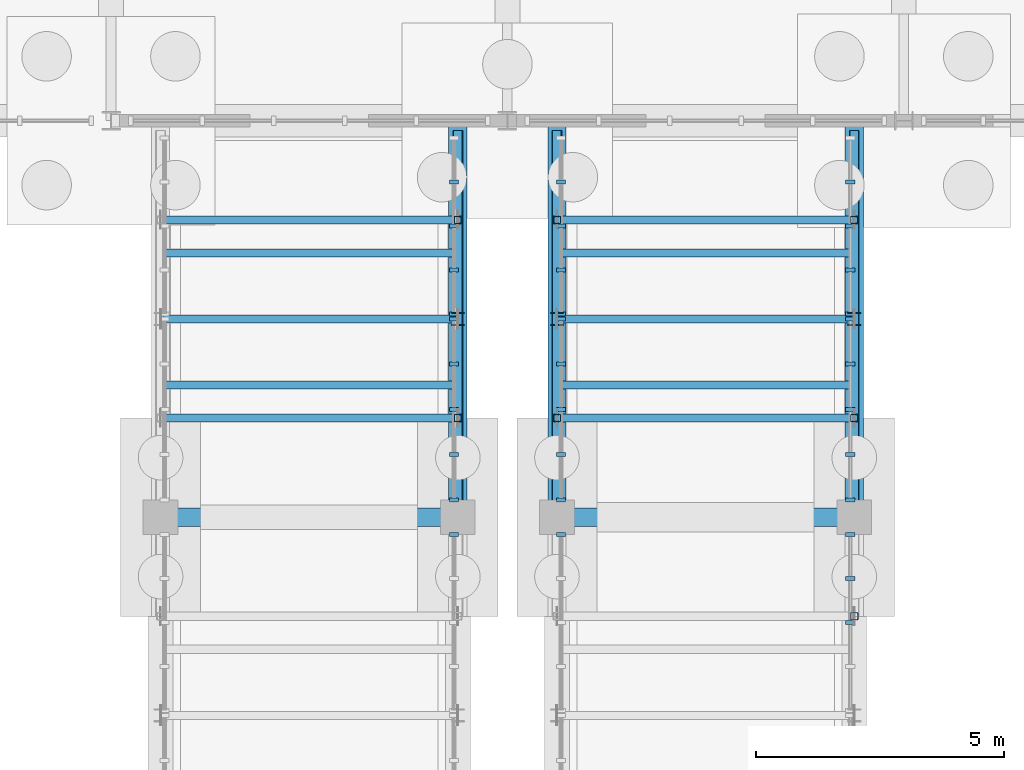
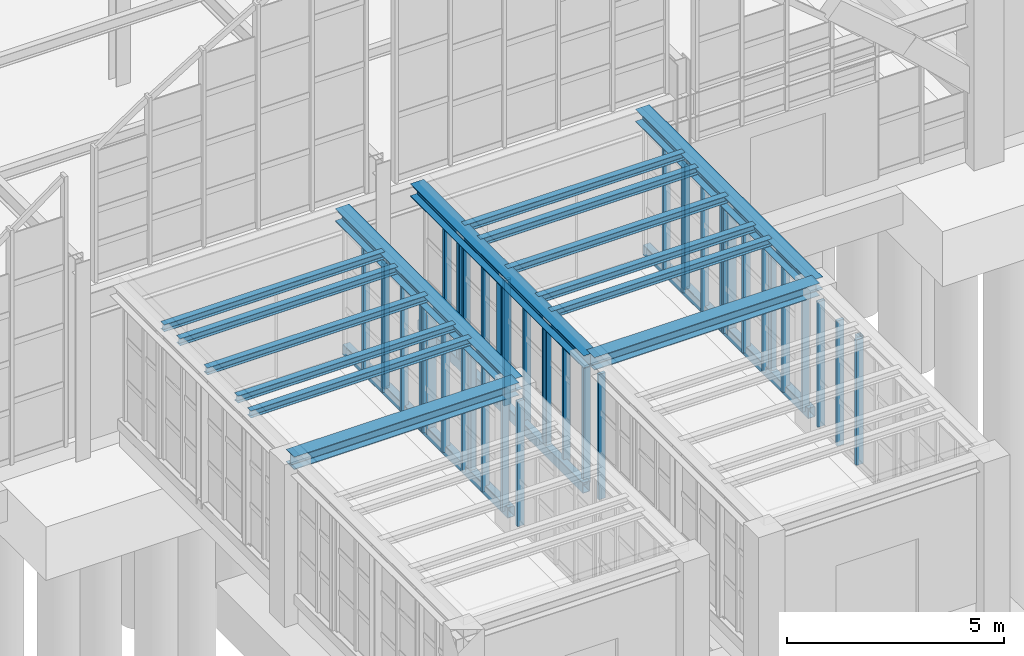
# One storey, part 38 of 129: 51 members, 9 beams, 9 elements without a shape of their own.
"""IFC4 building model written with IfcOpenShell, lengths in metres."""

from ifc_helpers import new_model, si_unit, direction, frame, origin, origin_2d, place, context, subcontext, project, spatial, rectangle, hollow_rectangle, i_section, extrude, material, layer, layer_set, material_profile, profile_set, type_object, element, aggregate, save


model = new_model("IFC4")

# Units and contexts
model_context = context("Model", 3, precision=1e-05, world=origin(), true_north=direction((0.0, 1.0)))
body_context = subcontext(model_context, "Body", "Model", "MODEL_VIEW")
ifc_project = project(units=[si_unit("LENGTHUNIT", "METRE"), si_unit("AREAUNIT", "SQUARE_METRE"), si_unit("VOLUMEUNIT", "CUBIC_METRE"), si_unit("PLANEANGLEUNIT", "RADIAN"), si_unit("MASSUNIT", "GRAM", prefix="KILO")], contexts=[model_context])

# Site, building, storey
site_placement = place(None, origin())
site = spatial("IfcSite", under=ifc_project, at=site_placement, CompositionType="ELEMENT")
building_placement = place(site_placement, origin())
building = spatial("IfcBuilding", under=site, at=building_placement, Name="Sitalva Quay Ferry Terminal", CompositionType="ELEMENT")
storey_placement = place(building_placement, origin())
storey = spatial("IfcBuildingStorey", under=building, at=storey_placement, Name="L01", CompositionType="ELEMENT", Elevation=0.0)

# Beams
ifc_material_1 = material(Name="Structural Steel S355JR", Category="steel")
ifc_material_profile_1 = material_profile(ifc_material_1, i_section(OverallWidth=0.368896484375, OverallDepth=0.35595703125, WebThickness=0.01123046875, FlangeThickness=0.01806640625, FilletRadius=0.014892578125, at=origin_2d()), Name="W360x134")
ifc_profile_set_1 = profile_set([ifc_material_profile_1], Name="Structural Steel S355JR")
beam_type_1 = type_object("IfcBeamType", Name="Beam_W360x134", PredefinedType="BEAM", material=ifc_profile_set_1)
beam_1_placement = place(storey_placement, frame((51.0, -2.0, 3.951904296875), z_axis=(1.0, 0.0, 0.0), x_axis=(0.0, 1.0, 0.0)))
element("IfcBeam", 1, at=beam_1_placement, inside=storey, type_object=beam_type_1, Name="L01 Primary X girder 0016", PredefinedType="BEAM", context=body_context, shape_type="SweptSolid", body=[
    extrude(i_section(OverallWidth=0.368896484375, OverallDepth=0.35595703125, WebThickness=0.01123046875, FlangeThickness=0.01806640625, FilletRadius=0.014892578125, at=origin_2d()), origin(), (0.0, 0.0, 1.0), 6.0),
])
beam_2_placement = place(storey_placement, frame((57.0, -2.0, 3.951904296875), z_axis=(0.0, 1.0, 0.0), x_axis=(-1.0, 0.0, 0.0)))
element("IfcBeam", 2, at=beam_2_placement, inside=storey, type_object=beam_type_1, Name="L01 Primary Y girder 0020", PredefinedType="BEAM", context=body_context, shape_type="SweptSolid", body=[
    extrude(i_section(OverallWidth=0.368896484375, OverallDepth=0.35595703125, WebThickness=0.01123046875, FlangeThickness=0.01806640625, FilletRadius=0.014892578125, at=origin_2d()), origin(), (0.0, 0.0, 1.0), 8.0),
])
beam_3_placement = place(storey_placement, frame((59.0, -2.0, 3.951904296875), z_axis=(1.0, 0.0, 0.0), x_axis=(0.0, 1.0, 0.0)))
element("IfcBeam", 3, at=beam_3_placement, inside=storey, type_object=beam_type_1, Name="L01 Primary X girder 0026", PredefinedType="BEAM", context=body_context, shape_type="SweptSolid", body=[
    extrude(i_section(OverallWidth=0.368896484375, OverallDepth=0.35595703125, WebThickness=0.01123046875, FlangeThickness=0.01806640625, FilletRadius=0.014892578125, at=origin_2d()), origin(), (0.0, 0.0, 1.0), 6.0),
])
for number, where, z_axis, x_axis, name in (
    (4, (59.0, -2.0, 3.951904296875), (0.0, 1.0, 0.0), (-1.0, 0.0, 0.0), "L01 Primary Y girder 0028"),
    (5, (65.0, -2.0, 3.951904296875), (0.0, 1.0, 0.0), (-1.0, 0.0, 0.0), "L01 Primary Y girder 0030"),
):
    element("IfcBeam", number, at=place(storey_placement, frame(where, z_axis=z_axis, x_axis=x_axis)), inside=storey, type_object=beam_type_1, Name=name, PredefinedType="BEAM", context=body_context, shape_type="SweptSolid", body=[
        extrude(i_section(OverallWidth=0.368896484375, OverallDepth=0.35595703125, WebThickness=0.01123046875, FlangeThickness=0.01806640625, FilletRadius=0.014892578125, at=origin_2d()), origin(), (0.0, 0.0, 1.0), 8.0),
    ])

# Members
ifc_material_2 = material(Name="Structural Steel S355JR", Category="steel")
ifc_material_profile_2 = material_profile(ifc_material_2, hollow_rectangle(XDim=0.199951171875, YDim=0.300048828125, WallThickness=0.012451171875, InnerFilletRadius=0.012451171875, OuterFilletRadius=0.02490234375, at=origin_2d()), Name="RHS300x200x12.5")
ifc_profile_set_2 = profile_set([ifc_material_profile_2], Name="Structural Steel S355JR")
member_type_1 = type_object("IfcMemberType", Name="Chord_RHS300x200", PredefinedType="CHORD", material=ifc_profile_set_2)
for number, where, z_axis, x_axis, name in (
    (6, (57.0, -1.800048828125, 0.25), (0.0, 1.0, 0.0), (-1.0, 0.0, 0.0), "Boarding bridge BB2 bottom chord E2"),
    (7, (59.0, -1.800048828125, 0.25), (0.0, 1.0, 0.0), (-1.0, 0.0, 0.0), "Boarding bridge BB3 bottom chord W2"),
    (8, (65.0, -1.800048828125, 0.25), (0.0, 1.0, 0.0), (-1.0, 0.0, 0.0), "Boarding bridge BB3 bottom chord E2"),
):
    element("IfcMember", number, at=place(storey_placement, frame(where, z_axis=z_axis, x_axis=x_axis)), inside=storey, type_object=member_type_1, Name=name, PredefinedType="CHORD", context=body_context, shape_type="SweptSolid", body=[
        extrude(hollow_rectangle(XDim=0.199951171875, YDim=0.300048828125, WallThickness=0.012451171875, InnerFilletRadius=0.012451171875, OuterFilletRadius=0.02490234375, at=origin_2d()), origin(), (0.0, 0.0, 1.0), 7.60009765625),
    ])
ifc_material_3 = material(Name="Structural Steel S355JR", Category="steel")
ifc_material_profile_3 = material_profile(ifc_material_3, i_section(OverallWidth=0.25390625, OverallDepth=0.2529296875, WebThickness=0.008544921875, FlangeThickness=0.01416015625, FilletRadius=0.011962890625, at=origin_2d()), Name="W250x73")
ifc_profile_set_3 = profile_set([ifc_material_profile_3], Name="Structural Steel S355JR")
member_type_2 = type_object("IfcMemberType", Name="Chord_W250x73", PredefinedType="CHORD", material=ifc_profile_set_3)
for number, where, z_axis, x_axis, name in (
    (9, (57.0, 2.0, 0.25), (0.0, 0.0, 1.0), (1.0, 0.0, 0.0), "Boarding bridge BB2 post E2"),
    (10, (59.0, 2.0, 0.25), (0.0, 0.0, 1.0), (1.0, 0.0, 0.0), "Boarding bridge BB3 post W2"),
    (11, (65.0, 2.0, 0.25), (0.0, 0.0, 1.0), (1.0, 0.0, 0.0), "Boarding bridge BB3 post E2"),
):
    element("IfcMember", number, at=place(storey_placement, frame(where, z_axis=z_axis, x_axis=x_axis)), inside=storey, type_object=member_type_2, Name=name, PredefinedType="CHORD", context=body_context, shape_type="SweptSolid", body=[
        extrude(i_section(OverallWidth=0.25390625, OverallDepth=0.2529296875, WebThickness=0.008544921875, FlangeThickness=0.01416015625, FilletRadius=0.011962890625, at=origin_2d()), origin(), (0.0, 0.0, 1.0), 3.530029296875),
    ])

# Beams
ifc_material_4 = material(Name="Structural Steel S355JR", Category="steel")
ifc_material_profile_4 = material_profile(ifc_material_4, i_section(OverallWidth=0.1650390625, OverallDepth=0.200927734375, WebThickness=0.006103515625, FlangeThickness=0.01025390625, FilletRadius=0.010009765625, at=origin_2d()), Name="W200x36")
ifc_profile_set_4 = profile_set([ifc_material_profile_4], Name="Structural Steel S355JR")
beam_type_2 = type_object("IfcBeamType", Name="Joist_W200x36", PredefinedType="JOIST", material=ifc_profile_set_4)
for number, where, z_axis, x_axis, name in (
    (12, (51.10009765625, 0.666748046875, 4.029541015625), (1.0, 0.0, 0.0), (0.0, 1.0, 0.0), "L01 Secondary joist 0023"),
    (13, (51.10009765625, 3.333251953125, 4.029541015625), (1.0, 0.0, 0.0), (0.0, 1.0, 0.0), "L01 Secondary joist 0024"),
    (14, (59.10009765625, 0.666748046875, 4.029541015625), (1.0, 0.0, 0.0), (0.0, 1.0, 0.0), "L01 Secondary joist 0033"),
    (15, (59.10009765625, 3.333251953125, 4.029541015625), (1.0, 0.0, 0.0), (0.0, 1.0, 0.0), "L01 Secondary joist 0034"),
):
    element("IfcBeam", number, at=place(storey_placement, frame(where, z_axis=z_axis, x_axis=x_axis)), inside=storey, type_object=beam_type_2, Name=name, PredefinedType="JOIST", context=body_context, shape_type="SweptSolid", body=[
        extrude(i_section(OverallWidth=0.1650390625, OverallDepth=0.200927734375, WebThickness=0.006103515625, FlangeThickness=0.01025390625, FilletRadius=0.010009765625, at=origin_2d()), origin(), (0.0, 0.0, 1.0), 5.7998046875),
    ])

# Curtain wall, member
ifc_material_5 = material(Name="Anodised Aluminium & Low-E Glazing", Category="aluminium")
ifc_layer = layer(ifc_material_5, 0.159912109375)
ifc_layer_set = layer_set([ifc_layer], Name="Anodised Aluminium & Low-E Glazing")
curtain_wall_type = type_object("IfcCurtainWallType", Name="CW_Bridge_Glazed", PredefinedType="USERDEFINED", material=ifc_layer_set)
curtain_wall_1_placement = place(storey_placement, origin())
curtain_wall_1 = element("IfcCurtainWall", 16, at=curtain_wall_1_placement, inside=storey, type_object=curtain_wall_type, Name="Boarding bridge BB2 E2 side glazing (CW-L01-046)", ObjectType="CURTAIN_WALL", PredefinedType="USERDEFINED")
ifc_material_6 = material(Name="Anodised Aluminium 6063-T6", Category="aluminium")
ifc_material_profile_5 = material_profile(ifc_material_6, rectangle(XDim=0.080078125, YDim=0.18505859375, at=origin_2d()), Name="ALU80x185")
ifc_profile_set_5 = profile_set([ifc_material_profile_5], Name="Anodised Aluminium 6063-T6")
member_type_3 = type_object("IfcMemberType", Name="Mullion_Alu_80x185", PredefinedType="MULLION", material=ifc_profile_set_5)
member_1_placement = place(storey_placement, frame((56.919921875, -2.35009765625, 0.25), z_axis=(0.0, 0.0, 1.0), x_axis=(0.0, 1.0, 0.0)))
member_1 = element("IfcMember", 17, at=member_1_placement, type_object=member_type_3, Name="CW-L01-046-M4", PredefinedType="MULLION", context=body_context, shape_type="SweptSolid", body=[
    extrude(rectangle(XDim=0.080078125, YDim=0.18505859375, at=origin_2d()), origin(), (0.0, 0.0, 1.0), 3.530029296875),
])
aggregate(curtain_wall_1, [member_1])

# Curtain wall, members
curtain_wall_2_placement = place(storey_placement, origin())
curtain_wall_2 = element("IfcCurtainWall", 18, at=curtain_wall_2_placement, inside=storey, type_object=curtain_wall_type, Name="Boarding bridge BB2 E3 side glazing (CW-L01-047)", ObjectType="CURTAIN_WALL", PredefinedType="USERDEFINED")
member_2_placement = place(storey_placement, frame((56.919921875, -1.64990234375, 0.25), z_axis=(0.0, 0.0, 1.0), x_axis=(0.0, 1.0, 0.0)))
member_2 = element("IfcMember", 19, at=member_2_placement, type_object=member_type_3, Name="CW-L01-047-M0", PredefinedType="MULLION", context=body_context, shape_type="SweptSolid", body=[
    extrude(rectangle(XDim=0.080078125, YDim=0.18505859375, at=origin_2d()), origin(), (0.0, 0.0, 1.0), 3.530029296875),
])
member_3_placement = place(storey_placement, frame((56.919921875, -0.737548828125, 0.25), z_axis=(0.0, 0.0, 1.0), x_axis=(0.0, 1.0, 0.0)))
member_3 = element("IfcMember", 20, at=member_3_placement, type_object=member_type_3, Name="CW-L01-047-M1", PredefinedType="MULLION", context=body_context, shape_type="SweptSolid", body=[
    extrude(rectangle(XDim=0.080078125, YDim=0.18505859375, at=origin_2d()), origin(), (0.0, 0.0, 1.0), 3.530029296875),
])
member_4_placement = place(storey_placement, frame((56.919921875, 0.175048828125, 0.25), z_axis=(0.0, 0.0, 1.0), x_axis=(0.0, 1.0, 0.0)))
member_4 = element("IfcMember", 21, at=member_4_placement, type_object=member_type_3, Name="CW-L01-047-M2", PredefinedType="MULLION", context=body_context, shape_type="SweptSolid", body=[
    extrude(rectangle(XDim=0.080078125, YDim=0.18505859375, at=origin_2d()), origin(), (0.0, 0.0, 1.0), 3.530029296875),
])
member_5_placement = place(storey_placement, frame((56.919921875, 1.08740234375, 0.25), z_axis=(0.0, 0.0, 1.0), x_axis=(0.0, 1.0, 0.0)))
member_5 = element("IfcMember", 22, at=member_5_placement, type_object=member_type_3, Name="CW-L01-047-M3", PredefinedType="MULLION", context=body_context, shape_type="SweptSolid", body=[
    extrude(rectangle(XDim=0.080078125, YDim=0.18505859375, at=origin_2d()), origin(), (0.0, 0.0, 1.0), 3.530029296875),
])
member_6_placement = place(storey_placement, frame((56.919921875, 2.0, 0.25), z_axis=(0.0, 0.0, 1.0), x_axis=(0.0, 1.0, 0.0)))
member_6 = element("IfcMember", 23, at=member_6_placement, type_object=member_type_3, Name="CW-L01-047-M4", PredefinedType="MULLION", context=body_context, shape_type="SweptSolid", body=[
    extrude(rectangle(XDim=0.080078125, YDim=0.18505859375, at=origin_2d()), origin(), (0.0, 0.0, 1.0), 3.530029296875),
])
aggregate(curtain_wall_2, [member_2, member_3, member_4, member_5, member_6])

curtain_wall_3_placement = place(storey_placement, origin())
curtain_wall_3 = element("IfcCurtainWall", 24, at=curtain_wall_3_placement, inside=storey, type_object=curtain_wall_type, Name="Boarding bridge BB2 E4 side glazing (CW-L01-048)", ObjectType="CURTAIN_WALL", PredefinedType="USERDEFINED")
member_7_placement = place(storey_placement, frame((56.919921875, 2.10009765625, 0.25), z_axis=(0.0, 0.0, 1.0), x_axis=(0.0, 1.0, 0.0)))
member_7 = element("IfcMember", 25, at=member_7_placement, type_object=member_type_3, Name="CW-L01-048-M0", PredefinedType="MULLION", context=body_context, shape_type="SweptSolid", body=[
    extrude(rectangle(XDim=0.080078125, YDim=0.18505859375, at=origin_2d()), origin(), (0.0, 0.0, 1.0), 3.530029296875),
])
member_8_placement = place(storey_placement, frame((56.919921875, 2.987548828125, 0.25), z_axis=(0.0, 0.0, 1.0), x_axis=(0.0, 1.0, 0.0)))
member_8 = element("IfcMember", 26, at=member_8_placement, type_object=member_type_3, Name="CW-L01-048-M1", PredefinedType="MULLION", context=body_context, shape_type="SweptSolid", body=[
    extrude(rectangle(XDim=0.080078125, YDim=0.18505859375, at=origin_2d()), origin(), (0.0, 0.0, 1.0), 3.530029296875),
])
member_9_placement = place(storey_placement, frame((56.919921875, 3.875, 0.25), z_axis=(0.0, 0.0, 1.0), x_axis=(0.0, 1.0, 0.0)))
member_9 = element("IfcMember", 27, at=member_9_placement, type_object=member_type_3, Name="CW-L01-048-M2", PredefinedType="MULLION", context=body_context, shape_type="SweptSolid", body=[
    extrude(rectangle(XDim=0.080078125, YDim=0.18505859375, at=origin_2d()), origin(), (0.0, 0.0, 1.0), 3.530029296875),
])
member_10_placement = place(storey_placement, frame((56.919921875, 4.762451171875, 0.25), z_axis=(0.0, 0.0, 1.0), x_axis=(0.0, 1.0, 0.0)))
member_10 = element("IfcMember", 28, at=member_10_placement, type_object=member_type_3, Name="CW-L01-048-M3", PredefinedType="MULLION", context=body_context, shape_type="SweptSolid", body=[
    extrude(rectangle(XDim=0.080078125, YDim=0.18505859375, at=origin_2d()), origin(), (0.0, 0.0, 1.0), 3.530029296875),
])
aggregate(curtain_wall_3, [member_7, member_8, member_9, member_10])

# Curtain wall, member
curtain_wall_4_placement = place(storey_placement, origin())
curtain_wall_4 = element("IfcCurtainWall", 29, at=curtain_wall_4_placement, inside=storey, type_object=curtain_wall_type, Name="Boarding bridge BB3 W2 side glazing (CW-L01-050)", ObjectType="CURTAIN_WALL", PredefinedType="USERDEFINED")
member_11_placement = place(storey_placement, frame((59.080078125, -2.35009765625, 0.25), z_axis=(0.0, 0.0, 1.0), x_axis=(0.0, 1.0, 0.0)))
member_11 = element("IfcMember", 30, at=member_11_placement, type_object=member_type_3, Name="CW-L01-050-M4", PredefinedType="MULLION", context=body_context, shape_type="SweptSolid", body=[
    extrude(rectangle(XDim=0.080078125, YDim=0.18505859375, at=origin_2d()), origin(), (0.0, 0.0, 1.0), 3.530029296875),
])
aggregate(curtain_wall_4, [member_11])

# Curtain wall, members
curtain_wall_5_placement = place(storey_placement, origin())
curtain_wall_5 = element("IfcCurtainWall", 31, at=curtain_wall_5_placement, inside=storey, type_object=curtain_wall_type, Name="Boarding bridge BB3 W3 side glazing (CW-L01-051)", ObjectType="CURTAIN_WALL", PredefinedType="USERDEFINED")
member_12_placement = place(storey_placement, frame((59.080078125, -1.64990234375, 0.25), z_axis=(0.0, 0.0, 1.0), x_axis=(0.0, 1.0, 0.0)))
member_12 = element("IfcMember", 32, at=member_12_placement, type_object=member_type_3, Name="CW-L01-051-M0", PredefinedType="MULLION", context=body_context, shape_type="SweptSolid", body=[
    extrude(rectangle(XDim=0.080078125, YDim=0.18505859375, at=origin_2d()), origin(), (0.0, 0.0, 1.0), 3.530029296875),
])
member_13_placement = place(storey_placement, frame((59.080078125, -0.737548828125, 0.25), z_axis=(0.0, 0.0, 1.0), x_axis=(0.0, 1.0, 0.0)))
member_13 = element("IfcMember", 33, at=member_13_placement, type_object=member_type_3, Name="CW-L01-051-M1", PredefinedType="MULLION", context=body_context, shape_type="SweptSolid", body=[
    extrude(rectangle(XDim=0.080078125, YDim=0.18505859375, at=origin_2d()), origin(), (0.0, 0.0, 1.0), 3.530029296875),
])
member_14_placement = place(storey_placement, frame((59.080078125, 0.175048828125, 0.25), z_axis=(0.0, 0.0, 1.0), x_axis=(0.0, 1.0, 0.0)))
member_14 = element("IfcMember", 34, at=member_14_placement, type_object=member_type_3, Name="CW-L01-051-M2", PredefinedType="MULLION", context=body_context, shape_type="SweptSolid", body=[
    extrude(rectangle(XDim=0.080078125, YDim=0.18505859375, at=origin_2d()), origin(), (0.0, 0.0, 1.0), 3.530029296875),
])
member_15_placement = place(storey_placement, frame((59.080078125, 1.08740234375, 0.25), z_axis=(0.0, 0.0, 1.0), x_axis=(0.0, 1.0, 0.0)))
member_15 = element("IfcMember", 35, at=member_15_placement, type_object=member_type_3, Name="CW-L01-051-M3", PredefinedType="MULLION", context=body_context, shape_type="SweptSolid", body=[
    extrude(rectangle(XDim=0.080078125, YDim=0.18505859375, at=origin_2d()), origin(), (0.0, 0.0, 1.0), 3.530029296875),
])
member_16_placement = place(storey_placement, frame((59.080078125, 2.0, 0.25), z_axis=(0.0, 0.0, 1.0), x_axis=(0.0, 1.0, 0.0)))
member_16 = element("IfcMember", 36, at=member_16_placement, type_object=member_type_3, Name="CW-L01-051-M4", PredefinedType="MULLION", context=body_context, shape_type="SweptSolid", body=[
    extrude(rectangle(XDim=0.080078125, YDim=0.18505859375, at=origin_2d()), origin(), (0.0, 0.0, 1.0), 3.530029296875),
])
aggregate(curtain_wall_5, [member_12, member_13, member_14, member_15, member_16])

curtain_wall_6_placement = place(storey_placement, origin())
curtain_wall_6 = element("IfcCurtainWall", 37, at=curtain_wall_6_placement, inside=storey, type_object=curtain_wall_type, Name="Boarding bridge BB3 W4 side glazing (CW-L01-052)", ObjectType="CURTAIN_WALL", PredefinedType="USERDEFINED")
member_17_placement = place(storey_placement, frame((59.080078125, 2.10009765625, 0.25), z_axis=(0.0, 0.0, 1.0), x_axis=(0.0, 1.0, 0.0)))
member_17 = element("IfcMember", 38, at=member_17_placement, type_object=member_type_3, Name="CW-L01-052-M0", PredefinedType="MULLION", context=body_context, shape_type="SweptSolid", body=[
    extrude(rectangle(XDim=0.080078125, YDim=0.18505859375, at=origin_2d()), origin(), (0.0, 0.0, 1.0), 3.530029296875),
])
member_18_placement = place(storey_placement, frame((59.080078125, 2.987548828125, 0.25), z_axis=(0.0, 0.0, 1.0), x_axis=(0.0, 1.0, 0.0)))
member_18 = element("IfcMember", 39, at=member_18_placement, type_object=member_type_3, Name="CW-L01-052-M1", PredefinedType="MULLION", context=body_context, shape_type="SweptSolid", body=[
    extrude(rectangle(XDim=0.080078125, YDim=0.18505859375, at=origin_2d()), origin(), (0.0, 0.0, 1.0), 3.530029296875),
])
member_19_placement = place(storey_placement, frame((59.080078125, 3.875, 0.25), z_axis=(0.0, 0.0, 1.0), x_axis=(0.0, 1.0, 0.0)))
member_19 = element("IfcMember", 40, at=member_19_placement, type_object=member_type_3, Name="CW-L01-052-M2", PredefinedType="MULLION", context=body_context, shape_type="SweptSolid", body=[
    extrude(rectangle(XDim=0.080078125, YDim=0.18505859375, at=origin_2d()), origin(), (0.0, 0.0, 1.0), 3.530029296875),
])
member_20_placement = place(storey_placement, frame((59.080078125, 4.762451171875, 0.25), z_axis=(0.0, 0.0, 1.0), x_axis=(0.0, 1.0, 0.0)))
member_20 = element("IfcMember", 41, at=member_20_placement, type_object=member_type_3, Name="CW-L01-052-M3", PredefinedType="MULLION", context=body_context, shape_type="SweptSolid", body=[
    extrude(rectangle(XDim=0.080078125, YDim=0.18505859375, at=origin_2d()), origin(), (0.0, 0.0, 1.0), 3.530029296875),
])
aggregate(curtain_wall_6, [member_17, member_18, member_19, member_20])

curtain_wall_7_placement = place(storey_placement, origin())
curtain_wall_7 = element("IfcCurtainWall", 42, at=curtain_wall_7_placement, inside=storey, type_object=curtain_wall_type, Name="Boarding bridge BB3 E2 side glazing (CW-L01-054)", ObjectType="CURTAIN_WALL", PredefinedType="USERDEFINED")
member_21_placement = place(storey_placement, frame((64.919921875, -4.125, 0.25), z_axis=(0.0, 0.0, 1.0), x_axis=(0.0, 1.0, 0.0)))
member_21 = element("IfcMember", 43, at=member_21_placement, type_object=member_type_3, Name="CW-L01-054-M2", PredefinedType="MULLION", context=body_context, shape_type="SweptSolid", body=[
    extrude(rectangle(XDim=0.080078125, YDim=0.18505859375, at=origin_2d()), origin(), (0.0, 0.0, 1.0), 3.530029296875),
])
member_22_placement = place(storey_placement, frame((64.919921875, -3.237548828125, 0.25), z_axis=(0.0, 0.0, 1.0), x_axis=(0.0, 1.0, 0.0)))
member_22 = element("IfcMember", 44, at=member_22_placement, type_object=member_type_3, Name="CW-L01-054-M3", PredefinedType="MULLION", context=body_context, shape_type="SweptSolid", body=[
    extrude(rectangle(XDim=0.080078125, YDim=0.18505859375, at=origin_2d()), origin(), (0.0, 0.0, 1.0), 3.530029296875),
])
member_23_placement = place(storey_placement, frame((64.919921875, -2.35009765625, 0.25), z_axis=(0.0, 0.0, 1.0), x_axis=(0.0, 1.0, 0.0)))
member_23 = element("IfcMember", 45, at=member_23_placement, type_object=member_type_3, Name="CW-L01-054-M4", PredefinedType="MULLION", context=body_context, shape_type="SweptSolid", body=[
    extrude(rectangle(XDim=0.080078125, YDim=0.18505859375, at=origin_2d()), origin(), (0.0, 0.0, 1.0), 3.530029296875),
])
aggregate(curtain_wall_7, [member_21, member_22, member_23])

curtain_wall_8_placement = place(storey_placement, origin())
curtain_wall_8 = element("IfcCurtainWall", 46, at=curtain_wall_8_placement, inside=storey, type_object=curtain_wall_type, Name="Boarding bridge BB3 E3 side glazing (CW-L01-055)", ObjectType="CURTAIN_WALL", PredefinedType="USERDEFINED")
member_24_placement = place(storey_placement, frame((64.919921875, -1.64990234375, 0.25), z_axis=(0.0, 0.0, 1.0), x_axis=(0.0, 1.0, 0.0)))
member_24 = element("IfcMember", 47, at=member_24_placement, type_object=member_type_3, Name="CW-L01-055-M0", PredefinedType="MULLION", context=body_context, shape_type="SweptSolid", body=[
    extrude(rectangle(XDim=0.080078125, YDim=0.18505859375, at=origin_2d()), origin(), (0.0, 0.0, 1.0), 3.530029296875),
])
member_25_placement = place(storey_placement, frame((64.919921875, -0.737548828125, 0.25), z_axis=(0.0, 0.0, 1.0), x_axis=(0.0, 1.0, 0.0)))
member_25 = element("IfcMember", 48, at=member_25_placement, type_object=member_type_3, Name="CW-L01-055-M1", PredefinedType="MULLION", context=body_context, shape_type="SweptSolid", body=[
    extrude(rectangle(XDim=0.080078125, YDim=0.18505859375, at=origin_2d()), origin(), (0.0, 0.0, 1.0), 3.530029296875),
])
member_26_placement = place(storey_placement, frame((64.919921875, 0.175048828125, 0.25), z_axis=(0.0, 0.0, 1.0), x_axis=(0.0, 1.0, 0.0)))
member_26 = element("IfcMember", 49, at=member_26_placement, type_object=member_type_3, Name="CW-L01-055-M2", PredefinedType="MULLION", context=body_context, shape_type="SweptSolid", body=[
    extrude(rectangle(XDim=0.080078125, YDim=0.18505859375, at=origin_2d()), origin(), (0.0, 0.0, 1.0), 3.530029296875),
])
member_27_placement = place(storey_placement, frame((64.919921875, 1.08740234375, 0.25), z_axis=(0.0, 0.0, 1.0), x_axis=(0.0, 1.0, 0.0)))
member_27 = element("IfcMember", 50, at=member_27_placement, type_object=member_type_3, Name="CW-L01-055-M3", PredefinedType="MULLION", context=body_context, shape_type="SweptSolid", body=[
    extrude(rectangle(XDim=0.080078125, YDim=0.18505859375, at=origin_2d()), origin(), (0.0, 0.0, 1.0), 3.530029296875),
])
member_28_placement = place(storey_placement, frame((64.919921875, 2.0, 0.25), z_axis=(0.0, 0.0, 1.0), x_axis=(0.0, 1.0, 0.0)))
member_28 = element("IfcMember", 51, at=member_28_placement, type_object=member_type_3, Name="CW-L01-055-M4", PredefinedType="MULLION", context=body_context, shape_type="SweptSolid", body=[
    extrude(rectangle(XDim=0.080078125, YDim=0.18505859375, at=origin_2d()), origin(), (0.0, 0.0, 1.0), 3.530029296875),
])
aggregate(curtain_wall_8, [member_24, member_25, member_26, member_27, member_28])

curtain_wall_9_placement = place(storey_placement, origin())
curtain_wall_9 = element("IfcCurtainWall", 52, at=curtain_wall_9_placement, inside=storey, type_object=curtain_wall_type, Name="Boarding bridge BB3 E4 side glazing (CW-L01-056)", ObjectType="CURTAIN_WALL", PredefinedType="USERDEFINED")
member_29_placement = place(storey_placement, frame((64.919921875, 2.10009765625, 0.25), z_axis=(0.0, 0.0, 1.0), x_axis=(0.0, 1.0, 0.0)))
member_29 = element("IfcMember", 53, at=member_29_placement, type_object=member_type_3, Name="CW-L01-056-M0", PredefinedType="MULLION", context=body_context, shape_type="SweptSolid", body=[
    extrude(rectangle(XDim=0.080078125, YDim=0.18505859375, at=origin_2d()), origin(), (0.0, 0.0, 1.0), 3.530029296875),
])
member_30_placement = place(storey_placement, frame((64.919921875, 2.987548828125, 0.25), z_axis=(0.0, 0.0, 1.0), x_axis=(0.0, 1.0, 0.0)))
member_30 = element("IfcMember", 54, at=member_30_placement, type_object=member_type_3, Name="CW-L01-056-M1", PredefinedType="MULLION", context=body_context, shape_type="SweptSolid", body=[
    extrude(rectangle(XDim=0.080078125, YDim=0.18505859375, at=origin_2d()), origin(), (0.0, 0.0, 1.0), 3.530029296875),
])
member_31_placement = place(storey_placement, frame((64.919921875, 3.875, 0.25), z_axis=(0.0, 0.0, 1.0), x_axis=(0.0, 1.0, 0.0)))
member_31 = element("IfcMember", 55, at=member_31_placement, type_object=member_type_3, Name="CW-L01-056-M2", PredefinedType="MULLION", context=body_context, shape_type="SweptSolid", body=[
    extrude(rectangle(XDim=0.080078125, YDim=0.18505859375, at=origin_2d()), origin(), (0.0, 0.0, 1.0), 3.530029296875),
])
member_32_placement = place(storey_placement, frame((64.919921875, 4.762451171875, 0.25), z_axis=(0.0, 0.0, 1.0), x_axis=(0.0, 1.0, 0.0)))
member_32 = element("IfcMember", 56, at=member_32_placement, type_object=member_type_3, Name="CW-L01-056-M3", PredefinedType="MULLION", context=body_context, shape_type="SweptSolid", body=[
    extrude(rectangle(XDim=0.080078125, YDim=0.18505859375, at=origin_2d()), origin(), (0.0, 0.0, 1.0), 3.530029296875),
])
aggregate(curtain_wall_9, [member_29, member_30, member_31, member_32])

# Members
ifc_material_7 = material(Name="Structural Steel S355JR", Category="steel")
ifc_material_profile_6 = material_profile(ifc_material_7, i_section(OverallWidth=0.1650390625, OverallDepth=0.200927734375, WebThickness=0.006103515625, FlangeThickness=0.01025390625, FilletRadius=0.010009765625, at=origin_2d()), Name="W200x36")
ifc_profile_set_6 = profile_set([ifc_material_profile_6], Name="Structural Steel S355JR")
member_type_4 = type_object("IfcMemberType", Name="Purlin_W200x36", PredefinedType="PURLIN", material=ifc_profile_set_6)
for number, where, z_axis, x_axis, name in (
    (57, (51.06005859375, 0.0, 4.029541015625), (1.0, 0.0, 0.0), (0.0, 1.0, 0.0), "Bridge BB2 parasol purlin at Y=0.0"),
    (58, (51.06005859375, 2.0, 4.029541015625), (1.0, 0.0, 0.0), (0.0, 1.0, 0.0), "Bridge BB2 parasol purlin at Y=2.0"),
    (59, (51.06005859375, 4.0, 4.029541015625), (1.0, 0.0, 0.0), (0.0, 1.0, 0.0), "Bridge BB2 parasol purlin at Y=4.0"),
    (60, (59.06005859375, 0.0, 4.029541015625), (1.0, 0.0, 0.0), (0.0, 1.0, 0.0), "Bridge BB3 parasol purlin at Y=0.0"),
    (61, (59.06005859375, 2.0, 4.029541015625), (1.0, 0.0, 0.0), (0.0, 1.0, 0.0), "Bridge BB3 parasol purlin at Y=2.0"),
    (62, (59.06005859375, 4.0, 4.029541015625), (1.0, 0.0, 0.0), (0.0, 1.0, 0.0), "Bridge BB3 parasol purlin at Y=4.0"),
):
    element("IfcMember", number, at=place(storey_placement, frame(where, z_axis=z_axis, x_axis=x_axis)), inside=storey, type_object=member_type_4, Name=name, PredefinedType="PURLIN", context=body_context, shape_type="SweptSolid", body=[
        extrude(i_section(OverallWidth=0.1650390625, OverallDepth=0.200927734375, WebThickness=0.006103515625, FlangeThickness=0.01025390625, FilletRadius=0.010009765625, at=origin_2d()), origin(), (0.0, 0.0, 1.0), 5.8798828125),
    ])
ifc_material_8 = material(Name="Structural Steel S355JR", Category="steel")
ifc_material_profile_7 = material_profile(ifc_material_8, hollow_rectangle(XDim=0.14990234375, YDim=0.14990234375, WallThickness=0.008056640625, InnerFilletRadius=0.008056640625, OuterFilletRadius=0.01611328125, at=origin_2d()), Name="SHS150x150x8")
ifc_profile_set_7 = profile_set([ifc_material_profile_7], Name="Structural Steel S355JR")
member_type_5 = type_object("IfcMemberType", Name="Strut_SHS150x8", PredefinedType="STRUT", material=ifc_profile_set_7)
for number, where, z_axis, x_axis, name in (
    (63, (57.0, 0.0, 0.25), (0.0, 0.0, 1.0), (1.0, 0.0, 0.0), "Boarding bridge BB2 Vierendeel post E2A"),
    (64, (57.0, 4.0, 0.25), (0.0, 0.0, 1.0), (1.0, 0.0, 0.0), "Boarding bridge BB2 Vierendeel post E2B"),
    (65, (59.0, 0.0, 0.25), (0.0, 0.0, 1.0), (1.0, 0.0, 0.0), "Boarding bridge BB3 Vierendeel post W2A"),
    (66, (59.0, 4.0, 0.25), (0.0, 0.0, 1.0), (1.0, 0.0, 0.0), "Boarding bridge BB3 Vierendeel post W2B"),
    (67, (65.0, -4.0, 0.25), (0.0, 0.0, 1.0), (1.0, 0.0, 0.0), "Boarding bridge BB3 Vierendeel post E1B"),
    (68, (65.0, 0.0, 0.25), (0.0, 0.0, 1.0), (1.0, 0.0, 0.0), "Boarding bridge BB3 Vierendeel post E2A"),
    (69, (65.0, 4.0, 0.25), (0.0, 0.0, 1.0), (1.0, 0.0, 0.0), "Boarding bridge BB3 Vierendeel post E2B"),
):
    element("IfcMember", number, at=place(storey_placement, frame(where, z_axis=z_axis, x_axis=x_axis)), inside=storey, type_object=member_type_5, Name=name, PredefinedType="STRUT", context=body_context, shape_type="SweptSolid", body=[
        extrude(hollow_rectangle(XDim=0.14990234375, YDim=0.14990234375, WallThickness=0.008056640625, InnerFilletRadius=0.008056640625, OuterFilletRadius=0.01611328125, at=origin_2d()), origin(), (0.0, 0.0, 1.0), 3.530029296875),
    ])

save(model, "model.ifc")
